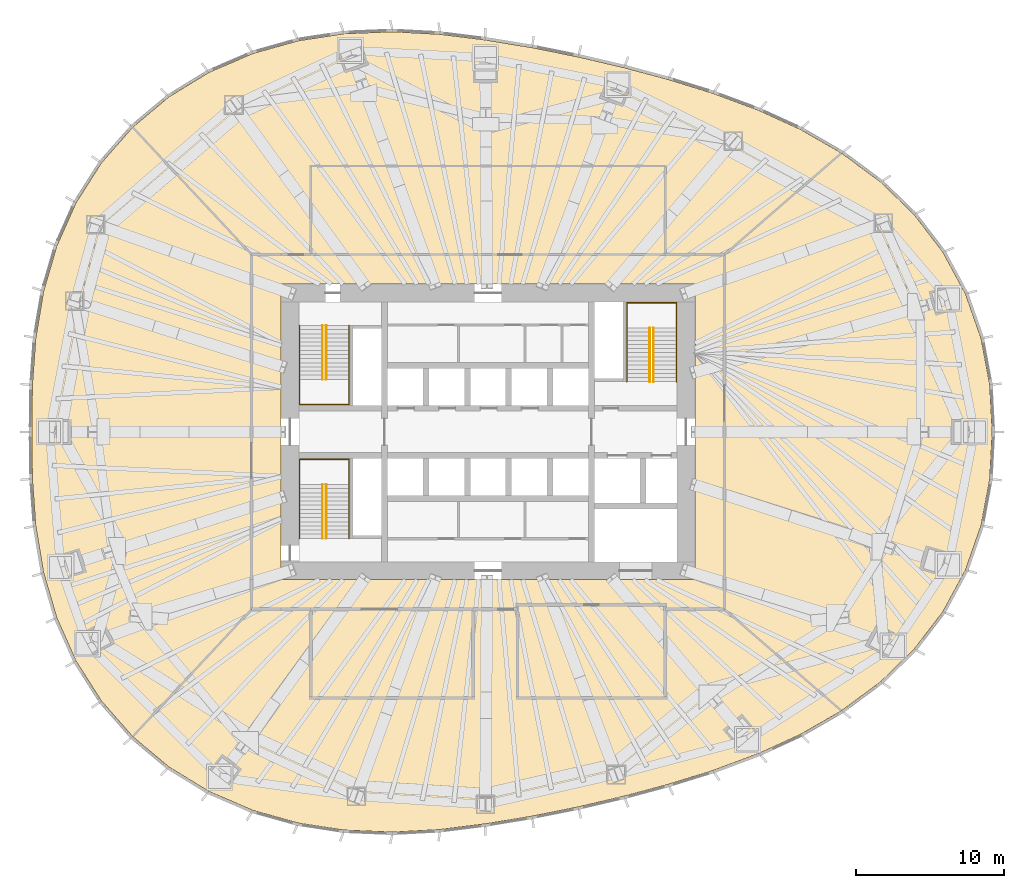
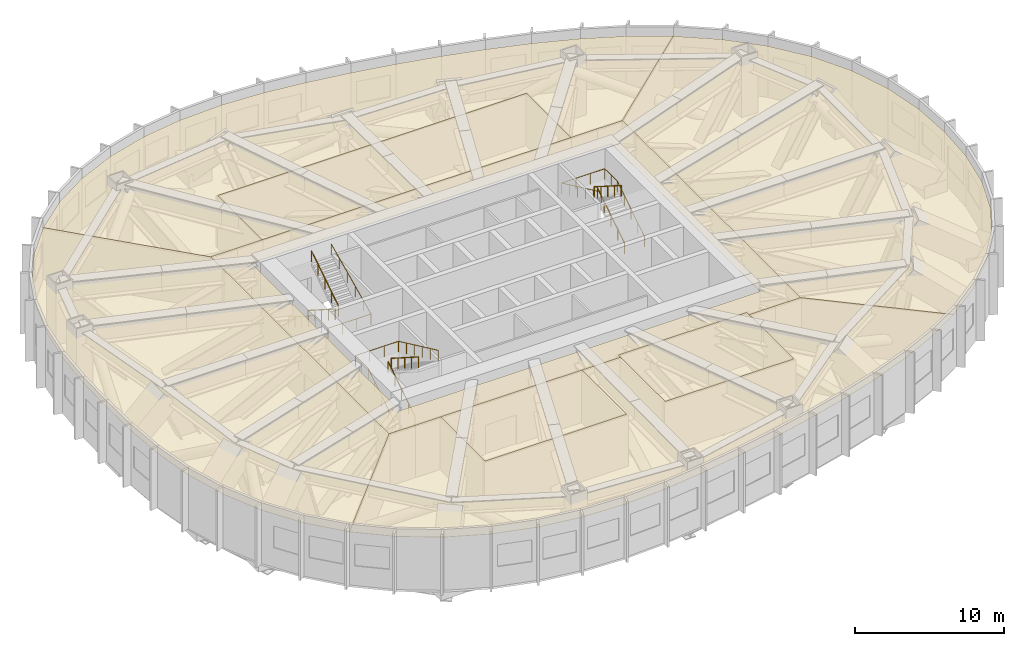
# One storey, part 12 of 12: 9 railings, 8 coverings.
"""IFC4 building model written with IfcOpenShell, lengths in metres."""

from ifc_helpers import new_model, si_unit, direction, frame, origin, origin_2d, place, context, subcontext, project, spatial, polyline, circle, outline, extrude, material, layer, layer_set, type_object, element, save


model = new_model("IFC4")

# Units and contexts
model_context = context("Model", 3, precision=1e-05, world=origin(), true_north=direction((0.0, 1.0)))
body_context = subcontext(model_context, "Body", "Model", "MODEL_VIEW")
ifc_project = project(units=[si_unit("LENGTHUNIT", "METRE"), si_unit("AREAUNIT", "SQUARE_METRE"), si_unit("VOLUMEUNIT", "CUBIC_METRE"), si_unit("PLANEANGLEUNIT", "RADIAN"), si_unit("MASSUNIT", "GRAM", prefix="KILO")], contexts=[model_context])

# Site, building, storey
site_placement = place(None, origin())
site = spatial("IfcSite", under=ifc_project, at=site_placement, CompositionType="ELEMENT")
building_placement = place(site_placement, origin())
building = spatial("IfcBuilding", under=site, at=building_placement, Name="Ghaith Harvest Tower", CompositionType="ELEMENT")
storey_placement = place(building_placement, frame((0.0, 0.0, 100.0)))
storey = spatial("IfcBuildingStorey", under=building, at=storey_placement, Name="L20", CompositionType="ELEMENT", Elevation=100.0)

# Coverings
ifc_material_1 = material(Name="Mineral fibre ceiling tile", Category="gypsum")
ifc_layer = layer(ifc_material_1, 0.02490234375)
ifc_layer_set = layer_set([ifc_layer], Name="CEILING C2")
covering_type = type_object("IfcCoveringType", Name="CEILING C2", PredefinedType="CEILING", material=ifc_layer_set)
covering_1_placement = place(storey_placement, frame((0.0, 0.0, 4.199951171875)))
element("IfcCovering", 1, at=covering_1_placement, inside=storey, type_object=covering_type, Name="Ceiling L20-01", PredefinedType="CEILING", context=body_context, shape_type="SweptSolid", body=[
    extrude(outline(polyline([(-12.0, 12.0), (12.0, 12.0), (12.0, 18.0), (-12.0, 18.0), (-12.0, 12.0)])), origin(), (0.0, 0.0, 1.0), 0.025146484375),
])
covering_2_placement = place(storey_placement, frame((0.0, 0.0, 4.199951171875)))
element("IfcCovering", 2, at=covering_2_placement, inside=storey, type_object=covering_type, Name="Ceiling L20-02", PredefinedType="CEILING", context=body_context, shape_type="SweptSolid", body=[
    extrude(outline(polyline([(-12.0, -18.0), (-1.0, -18.0), (-1.0, -12.0), (-12.0, -12.0), (-12.0, -18.0)])), origin(), (0.0, 0.0, 1.0), 0.025146484375),
])
covering_3_placement = place(storey_placement, frame((0.0, 0.0, 4.199951171875)))
element("IfcCovering", 3, at=covering_3_placement, inside=storey, type_object=covering_type, Name="Ceiling L20-03", PredefinedType="CEILING", context=body_context, shape_type="SweptSolid", body=[
    extrude(outline(polyline([(2.0, -18.0), (12.0, -18.0), (12.0, -11.699951171875), (2.0, -11.699951171875), (2.0, -18.0)])), origin(), (0.0, 0.0, 1.0), 0.025146484375),
])
covering_4_placement = place(storey_placement, frame((0.0, 0.0, 4.199951171875)))
element("IfcCovering", 4, at=covering_4_placement, inside=storey, type_object=covering_type, Name="Ceiling L20-C1", PredefinedType="CEILING", context=body_context, shape_type="SweptSolid", body=[
    extrude(outline(polyline([(-16.0, 12.0), (16.0, 12.0), (16.0, -12.0), (12.0, -12.0), (12.0, -11.699951171875), (2.0, -11.699951171875), (2.0, -12.0), (-16.0, -12.0), (-16.0, 12.0)]), holes=[polyline([(14.0, -10.0), (14.0, 10.0), (-14.0, 10.0), (-14.0, -10.0), (14.0, -10.0)])]), origin(), (0.0, 0.0, 1.0), 0.025146484375),
])
covering_5_placement = place(storey_placement, frame((0.0, 0.0, 4.199951171875)))
element("IfcCovering", 5, at=covering_5_placement, inside=storey, type_object=covering_type, Name="Ceiling L20-N1", PredefinedType="CEILING", context=body_context, shape_type="SweptSolid", body=[
    extrude(outline(polyline([(-21.59912109375, 22.671142578125), (-18.8935546875, 24.32763671875), (-15.907958984375, 25.614501953125), (-12.828125, 26.476806640625), (-9.733642578125, 26.949951171875), (-6.4375, 27.0849609375), (-3.24755859375, 26.91064453125), (-0.181396484375, 26.527099609375), (2.99560546875, 26.004150390625), (6.10888671875, 25.378662109375), (9.21533203125, 24.65087890625), (12.1796875, 23.857666015625), (15.22119140625, 22.916259765625), (18.34521484375, 21.7548828125), (21.149169921875, 20.469482421875), (23.92431640625, 18.873046875), (16.0, 12.0), (12.0, 12.0), (12.0, 18.0), (-12.0, 18.0), (-12.0, 12.0), (-16.0, 12.0), (-24.04833984375, 20.618408203125), (-21.59912109375, 22.671142578125)])), origin(), (0.0, 0.0, 1.0), 0.025146484375),
])
covering_6_placement = place(storey_placement, frame((0.0, 0.0, 4.199951171875)))
element("IfcCovering", 6, at=covering_6_placement, inside=storey, type_object=covering_type, Name="Ceiling L20-E1", PredefinedType="CEILING", context=body_context, shape_type="SweptSolid", body=[
    extrude(outline(polyline([(26.572509765625, -16.9111328125), (23.92431640625, -18.873046875), (16.0, -12.0), (16.0, 12.0), (23.92431640625, 18.873046875), (26.572509765625, 16.9111328125), (28.840087890625, 14.708984375), (30.78515625, 12.1708984375), (32.318359375, 9.3408203125), (33.37158203125, 6.333984375), (33.95849609375, 3.194091796875), (34.125, 0.0), (33.95849609375, -3.194091796875), (33.37158203125, -6.333984375), (32.318359375, -9.3408203125), (30.78515625, -12.1708984375), (28.840087890625, -14.708984375), (26.572509765625, -16.9111328125)])), origin(), (0.0, 0.0, 1.0), 0.025146484375),
])
covering_7_placement = place(storey_placement, frame((0.0, 0.0, 4.199951171875)))
element("IfcCovering", 7, at=covering_7_placement, inside=storey, type_object=covering_type, Name="Ceiling L20-S1", PredefinedType="CEILING", context=body_context, shape_type="SweptSolid", body=[
    extrude(outline(polyline([(21.149169921875, -20.469482421875), (18.34521484375, -21.7548828125), (15.22119140625, -22.916259765625), (12.1796875, -23.857666015625), (9.21533203125, -24.65087890625), (6.10888671875, -25.378662109375), (2.99560546875, -26.004150390625), (-0.181396484375, -26.527099609375), (-3.24755859375, -26.91064453125), (-6.4375, -27.0849609375), (-9.733642578125, -26.949951171875), (-12.828125, -26.476806640625), (-15.907958984375, -25.614501953125), (-18.8935546875, -24.32763671875), (-21.59912109375, -22.671142578125), (-24.04833984375, -20.618408203125), (-16.0, -12.0), (-12.0, -12.0), (-12.0, -18.0), (-1.0, -18.0), (-1.0, -12.0), (2.0, -12.0), (2.0, -18.0), (12.0, -18.0), (12.0, -12.0), (16.0, -12.0), (23.92431640625, -18.873046875), (21.149169921875, -20.469482421875)])), origin(), (0.0, 0.0, 1.0), 0.025146484375),
])
covering_8_placement = place(storey_placement, frame((0.0, 0.0, 4.199951171875)))
element("IfcCovering", 8, at=covering_8_placement, inside=storey, type_object=covering_type, Name="Ceiling L20-W1", PredefinedType="CEILING", context=body_context, shape_type="SweptSolid", body=[
    extrude(outline(polyline([(-26.16455078125, -18.20556640625), (-27.881591796875, -15.507080078125), (-29.182373046875, -12.587890625), (-30.073974609375, -9.531005859375), (-30.606689453125, -6.35107421875), (-30.837158203125, -3.165771484375), (-30.875, 0.0), (-30.837158203125, 3.165771484375), (-30.606689453125, 6.35107421875), (-30.073974609375, 9.531005859375), (-29.182373046875, 12.587890625), (-27.881591796875, 15.507080078125), (-26.16455078125, 18.20556640625), (-24.04833984375, 20.618408203125), (-16.0, 12.0), (-16.0, -12.0), (-24.04833984375, -20.618408203125), (-26.16455078125, -18.20556640625)])), origin(), (0.0, 0.0, 1.0), 0.025146484375),
])

# Railings
ifc_material_2 = material(Name="Steel, black powder-coated", Category="steel")
railing_type = type_object("IfcRailingType", Name="HANDRAIL HR1", PredefinedType="HANDRAIL", material=ifc_material_2)
railing_1_placement = place(storey_placement, frame((-11.199951171875, 7.199951171875, 0.178466796875)))
element("IfcRailing", 9, at=railing_1_placement, inside=storey, type_object=railing_type, Name="Handrail HR1 stair ST1 L20 flight 1 inner", PredefinedType="HANDRAIL", context=body_context, shape_type="SweptSolid", body=[
    extrude(circle(Radius=0.02392578125, at=origin_2d()), frame((0.0, 0.0, 0.8759765625), z_axis=(0.0, -0.843111507901, 0.53773877045), x_axis=(1.0, 0.0, 0.0)), (0.0, 0.0, 1.0), 4.317138671875),
    extrude(circle(Radius=0.02099609375, at=origin_2d()), origin(), (0.0, 0.0, 1.0), 0.851806640625),
    extrude(circle(Radius=0.02099609375, at=origin_2d()), frame((0.0, -0.909912109375, 0.580322265625)), (0.0, 0.0, 1.0), 0.851806640625),
    extrude(circle(Radius=0.02099609375, at=origin_2d()), frame((0.0, -1.81982421875, 1.16064453125)), (0.0, 0.0, 1.0), 0.851806640625),
    extrude(circle(Radius=0.02099609375, at=origin_2d()), frame((0.0, -2.72998046875, 1.7412109375)), (0.0, 0.0, 1.0), 0.851806640625),
    extrude(circle(Radius=0.02099609375, at=origin_2d()), frame((0.0, -3.639892578125, 2.321533203125)), (0.0, 0.0, 1.0), 0.851806640625),
])
railing_2_placement = place(storey_placement, frame((-10.949951171875, 3.56005859375, 2.678466796875)))
element("IfcRailing", 10, at=railing_2_placement, inside=storey, type_object=railing_type, Name="Handrail HR1 stair ST1 L20 flight 2 inner", PredefinedType="HANDRAIL", context=body_context, shape_type="SweptSolid", body=[
    extrude(circle(Radius=0.02392578125, at=origin_2d()), frame((0.0, 0.0, 0.8759765625), z_axis=(0.0, 0.843111507901, 0.53773877045), x_axis=(-1.0, 0.0, 0.0)), (0.0, 0.0, 1.0), 4.317138671875),
    extrude(circle(Radius=0.02099609375, at=origin_2d()), origin(), (0.0, 0.0, 1.0), 0.851806640625),
    extrude(circle(Radius=0.02099609375, at=origin_2d()), frame((0.0, 0.909912109375, 0.580322265625)), (0.0, 0.0, 1.0), 0.851806640625),
    extrude(circle(Radius=0.02099609375, at=origin_2d()), frame((0.0, 1.81982421875, 1.16064453125)), (0.0, 0.0, 1.0), 0.851806640625),
    extrude(circle(Radius=0.02099609375, at=origin_2d()), frame((0.0, 2.72998046875, 1.7412109375)), (0.0, 0.0, 1.0), 0.851806640625),
    extrude(circle(Radius=0.02099609375, at=origin_2d()), frame((0.0, 3.639892578125, 2.321533203125)), (0.0, 0.0, 1.0), 0.851806640625),
])
railing_3_placement = place(storey_placement, frame((-12.75, 7.199951171875, 0.178466796875)))
element("IfcRailing", 11, at=railing_3_placement, inside=storey, type_object=railing_type, Name="Handrail HR1 stair ST1 L20 wall side", PredefinedType="HANDRAIL", context=body_context, shape_type="SweptSolid", body=[
    extrude(circle(Radius=0.02392578125, at=origin_2d()), frame((0.0, 0.0, 0.8759765625), z_axis=(0.0, -0.843111507901, 0.53773877045), x_axis=(1.0, 0.0, 0.0)), (0.0, 0.0, 1.0), 4.317138671875),
    extrude(circle(Radius=0.02392578125, at=origin_2d()), frame((0.0, -3.639892578125, 3.197265625), z_axis=(0.0, -1.0, 0.0), x_axis=(1.0, 0.0, 0.0)), (0.0, 0.0, 1.0), 1.7099609375),
    extrude(circle(Radius=0.02392578125, at=origin_2d()), frame((0.0, -5.349853515625, 3.197265625), z_axis=(1.0, 0.0, 0.0), x_axis=(0.0, 1.0, 0.0)), (0.0, 0.0, 1.0), 3.35009765625),
    extrude(circle(Radius=0.02392578125, at=origin_2d()), frame((3.35009765625, -5.349853515625, 3.197265625), z_axis=(0.0, 0.905962265858, 0.423358444868), x_axis=(-1.0, 0.0, 0.0)), (0.0, 0.0, 1.0), 5.9052734375),
    extrude(circle(Radius=0.02099609375, at=origin_2d()), origin(), (0.0, 0.0, 1.0), 0.851806640625),
    extrude(circle(Radius=0.02099609375, at=origin_2d()), frame((0.0, -0.909912109375, 0.580322265625)), (0.0, 0.0, 1.0), 0.851806640625),
    extrude(circle(Radius=0.02099609375, at=origin_2d()), frame((0.0, -1.81982421875, 1.16064453125)), (0.0, 0.0, 1.0), 0.851806640625),
    extrude(circle(Radius=0.02099609375, at=origin_2d()), frame((0.0, -2.72998046875, 1.7412109375)), (0.0, 0.0, 1.0), 0.851806640625),
    extrude(circle(Radius=0.02099609375, at=origin_2d()), frame((0.0, -3.639892578125, 2.321533203125)), (0.0, 0.0, 1.0), 0.851806640625),
    extrude(circle(Radius=0.02099609375, at=origin_2d()), frame((0.0, -4.494873046875, 2.321533203125)), (0.0, 0.0, 1.0), 0.851806640625),
    extrude(circle(Radius=0.02099609375, at=origin_2d()), frame((0.0, -5.349853515625, 2.321533203125)), (0.0, 0.0, 1.0), 0.851806640625),
    extrude(circle(Radius=0.02099609375, at=origin_2d()), frame((1.11669921875, -5.349853515625, 2.321533203125)), (0.0, 0.0, 1.0), 0.851806640625),
    extrude(circle(Radius=0.02099609375, at=origin_2d()), frame((2.2333984375, -5.349853515625, 2.321533203125)), (0.0, 0.0, 1.0), 0.851806640625),
    extrude(circle(Radius=0.02099609375, at=origin_2d()), frame((3.35009765625, -5.349853515625, 2.321533203125)), (0.0, 0.0, 1.0), 0.851806640625),
    extrude(circle(Radius=0.02099609375, at=origin_2d()), frame((3.35009765625, -4.27978515625, 2.821533203125)), (0.0, 0.0, 1.0), 0.851806640625),
    extrude(circle(Radius=0.02099609375, at=origin_2d()), frame((3.35009765625, -3.2099609375, 3.321533203125)), (0.0, 0.0, 1.0), 0.851806640625),
    extrude(circle(Radius=0.02099609375, at=origin_2d()), frame((3.35009765625, -2.139892578125, 3.821533203125)), (0.0, 0.0, 1.0), 0.851806640625),
    extrude(circle(Radius=0.02099609375, at=origin_2d()), frame((3.35009765625, -1.070068359375, 4.321533203125)), (0.0, 0.0, 1.0), 0.851806640625),
    extrude(circle(Radius=0.02099609375, at=origin_2d()), frame((3.35009765625, 0.0, 4.821533203125)), (0.0, 0.0, 1.0), 0.851806640625),
])
railing_4_placement = place(storey_placement, frame((-11.199951171875, -7.199951171875, 0.178466796875)))
element("IfcRailing", 12, at=railing_4_placement, inside=storey, type_object=railing_type, Name="Handrail HR1 stair ST3 L20 flight 1 inner", PredefinedType="HANDRAIL", context=body_context, shape_type="SweptSolid", body=[
    extrude(circle(Radius=0.02392578125, at=origin_2d()), frame((0.0, 0.0, 0.8759765625), z_axis=(0.0, 0.843111507901, 0.53773877045), x_axis=(-1.0, 0.0, 0.0)), (0.0, 0.0, 1.0), 4.317138671875),
    extrude(circle(Radius=0.02099609375, at=origin_2d()), origin(), (0.0, 0.0, 1.0), 0.851806640625),
    extrude(circle(Radius=0.02099609375, at=origin_2d()), frame((0.0, 0.909912109375, 0.580322265625)), (0.0, 0.0, 1.0), 0.851806640625),
    extrude(circle(Radius=0.02099609375, at=origin_2d()), frame((0.0, 1.81982421875, 1.16064453125)), (0.0, 0.0, 1.0), 0.851806640625),
    extrude(circle(Radius=0.02099609375, at=origin_2d()), frame((0.0, 2.72998046875, 1.7412109375)), (0.0, 0.0, 1.0), 0.851806640625),
    extrude(circle(Radius=0.02099609375, at=origin_2d()), frame((0.0, 3.639892578125, 2.321533203125)), (0.0, 0.0, 1.0), 0.851806640625),
])
railing_5_placement = place(storey_placement, frame((-10.949951171875, -3.56005859375, 2.678466796875)))
element("IfcRailing", 13, at=railing_5_placement, inside=storey, type_object=railing_type, Name="Handrail HR1 stair ST3 L20 flight 2 inner", PredefinedType="HANDRAIL", context=body_context, shape_type="SweptSolid", body=[
    extrude(circle(Radius=0.02392578125, at=origin_2d()), frame((0.0, 0.0, 0.8759765625), z_axis=(0.0, -0.843111507901, 0.53773877045), x_axis=(1.0, 0.0, 0.0)), (0.0, 0.0, 1.0), 4.317138671875),
    extrude(circle(Radius=0.02099609375, at=origin_2d()), origin(), (0.0, 0.0, 1.0), 0.851806640625),
    extrude(circle(Radius=0.02099609375, at=origin_2d()), frame((0.0, -0.909912109375, 0.580322265625)), (0.0, 0.0, 1.0), 0.851806640625),
    extrude(circle(Radius=0.02099609375, at=origin_2d()), frame((0.0, -1.81982421875, 1.16064453125)), (0.0, 0.0, 1.0), 0.851806640625),
    extrude(circle(Radius=0.02099609375, at=origin_2d()), frame((0.0, -2.72998046875, 1.7412109375)), (0.0, 0.0, 1.0), 0.851806640625),
    extrude(circle(Radius=0.02099609375, at=origin_2d()), frame((0.0, -3.639892578125, 2.321533203125)), (0.0, 0.0, 1.0), 0.851806640625),
])
railing_6_placement = place(storey_placement, frame((-12.75, -7.199951171875, 0.178466796875)))
element("IfcRailing", 14, at=railing_6_placement, inside=storey, type_object=railing_type, Name="Handrail HR1 stair ST3 L20 wall side", PredefinedType="HANDRAIL", context=body_context, shape_type="SweptSolid", body=[
    extrude(circle(Radius=0.02392578125, at=origin_2d()), frame((0.0, 0.0, 0.8759765625), z_axis=(0.0, 0.843111507901, 0.53773877045), x_axis=(-1.0, 0.0, 0.0)), (0.0, 0.0, 1.0), 4.317138671875),
    extrude(circle(Radius=0.02392578125, at=origin_2d()), frame((0.0, 3.639892578125, 3.197265625), z_axis=(0.0, 1.0, 0.0), x_axis=(-1.0, 0.0, 0.0)), (0.0, 0.0, 1.0), 1.7099609375),
    extrude(circle(Radius=0.02392578125, at=origin_2d()), frame((0.0, 5.349853515625, 3.197265625), z_axis=(1.0, 0.0, 0.0), x_axis=(0.0, 1.0, 0.0)), (0.0, 0.0, 1.0), 3.35009765625),
    extrude(circle(Radius=0.02392578125, at=origin_2d()), frame((3.35009765625, 5.349853515625, 3.197265625), z_axis=(0.0, -0.905962265858, 0.423358444868), x_axis=(1.0, 0.0, 0.0)), (0.0, 0.0, 1.0), 5.9052734375),
    extrude(circle(Radius=0.02099609375, at=origin_2d()), origin(), (0.0, 0.0, 1.0), 0.851806640625),
    extrude(circle(Radius=0.02099609375, at=origin_2d()), frame((0.0, 0.909912109375, 0.580322265625)), (0.0, 0.0, 1.0), 0.851806640625),
    extrude(circle(Radius=0.02099609375, at=origin_2d()), frame((0.0, 1.81982421875, 1.16064453125)), (0.0, 0.0, 1.0), 0.851806640625),
    extrude(circle(Radius=0.02099609375, at=origin_2d()), frame((0.0, 2.72998046875, 1.7412109375)), (0.0, 0.0, 1.0), 0.851806640625),
    extrude(circle(Radius=0.02099609375, at=origin_2d()), frame((0.0, 3.639892578125, 2.321533203125)), (0.0, 0.0, 1.0), 0.851806640625),
    extrude(circle(Radius=0.02099609375, at=origin_2d()), frame((0.0, 4.494873046875, 2.321533203125)), (0.0, 0.0, 1.0), 0.851806640625),
    extrude(circle(Radius=0.02099609375, at=origin_2d()), frame((0.0, 5.349853515625, 2.321533203125)), (0.0, 0.0, 1.0), 0.851806640625),
    extrude(circle(Radius=0.02099609375, at=origin_2d()), frame((1.11669921875, 5.349853515625, 2.321533203125)), (0.0, 0.0, 1.0), 0.851806640625),
    extrude(circle(Radius=0.02099609375, at=origin_2d()), frame((2.2333984375, 5.349853515625, 2.321533203125)), (0.0, 0.0, 1.0), 0.851806640625),
    extrude(circle(Radius=0.02099609375, at=origin_2d()), frame((3.35009765625, 5.349853515625, 2.321533203125)), (0.0, 0.0, 1.0), 0.851806640625),
    extrude(circle(Radius=0.02099609375, at=origin_2d()), frame((3.35009765625, 4.27978515625, 2.821533203125)), (0.0, 0.0, 1.0), 0.851806640625),
    extrude(circle(Radius=0.02099609375, at=origin_2d()), frame((3.35009765625, 3.2099609375, 3.321533203125)), (0.0, 0.0, 1.0), 0.851806640625),
    extrude(circle(Radius=0.02099609375, at=origin_2d()), frame((3.35009765625, 2.139892578125, 3.821533203125)), (0.0, 0.0, 1.0), 0.851806640625),
    extrude(circle(Radius=0.02099609375, at=origin_2d()), frame((3.35009765625, 1.070068359375, 4.321533203125)), (0.0, 0.0, 1.0), 0.851806640625),
    extrude(circle(Radius=0.02099609375, at=origin_2d()), frame((3.35009765625, 0.0, 4.821533203125)), (0.0, 0.0, 1.0), 0.851806640625),
])
railing_7_placement = place(storey_placement, frame((11.199951171875, 3.39990234375, 0.178466796875)))
element("IfcRailing", 15, at=railing_7_placement, inside=storey, type_object=railing_type, Name="Handrail HR1 stair ST2 L20 flight 1 inner", PredefinedType="HANDRAIL", context=body_context, shape_type="SweptSolid", body=[
    extrude(circle(Radius=0.02392578125, at=origin_2d()), frame((0.0, 0.0, 0.8759765625), z_axis=(0.0, 0.843127859045, 0.537713132908), x_axis=(-1.0, 0.0, 0.0)), (0.0, 0.0, 1.0), 4.3173828125),
    extrude(circle(Radius=0.02099609375, at=origin_2d()), origin(), (0.0, 0.0, 1.0), 0.851806640625),
    extrude(circle(Radius=0.02099609375, at=origin_2d()), frame((0.0, 0.91015625, 0.580322265625)), (0.0, 0.0, 1.0), 0.851806640625),
    extrude(circle(Radius=0.02099609375, at=origin_2d()), frame((0.0, 1.820068359375, 1.16064453125)), (0.0, 0.0, 1.0), 0.851806640625),
    extrude(circle(Radius=0.02099609375, at=origin_2d()), frame((0.0, 2.72998046875, 1.7412109375)), (0.0, 0.0, 1.0), 0.851806640625),
    extrude(circle(Radius=0.02099609375, at=origin_2d()), frame((0.0, 3.64013671875, 2.321533203125)), (0.0, 0.0, 1.0), 0.851806640625),
])
railing_8_placement = place(storey_placement, frame((10.949951171875, 7.0400390625, 2.678466796875)))
element("IfcRailing", 16, at=railing_8_placement, inside=storey, type_object=railing_type, Name="Handrail HR1 stair ST2 L20 flight 2 inner", PredefinedType="HANDRAIL", context=body_context, shape_type="SweptSolid", body=[
    extrude(circle(Radius=0.02392578125, at=origin_2d()), frame((0.0, 0.0, 0.8759765625), z_axis=(0.0, -0.843127859045, 0.537713132908), x_axis=(1.0, 0.0, 0.0)), (0.0, 0.0, 1.0), 4.3173828125),
    extrude(circle(Radius=0.02099609375, at=origin_2d()), origin(), (0.0, 0.0, 1.0), 0.851806640625),
    extrude(circle(Radius=0.02099609375, at=origin_2d()), frame((0.0, -0.91015625, 0.580322265625)), (0.0, 0.0, 1.0), 0.851806640625),
    extrude(circle(Radius=0.02099609375, at=origin_2d()), frame((0.0, -1.820068359375, 1.16064453125)), (0.0, 0.0, 1.0), 0.851806640625),
    extrude(circle(Radius=0.02099609375, at=origin_2d()), frame((0.0, -2.72998046875, 1.7412109375)), (0.0, 0.0, 1.0), 0.851806640625),
    extrude(circle(Radius=0.02099609375, at=origin_2d()), frame((0.0, -3.64013671875, 2.321533203125)), (0.0, 0.0, 1.0), 0.851806640625),
])
railing_9_placement = place(storey_placement, frame((12.75, 3.39990234375, 0.178466796875)))
element("IfcRailing", 17, at=railing_9_placement, inside=storey, type_object=railing_type, Name="Handrail HR1 stair ST2 L20 wall side", PredefinedType="HANDRAIL", context=body_context, shape_type="SweptSolid", body=[
    extrude(circle(Radius=0.02392578125, at=origin_2d()), frame((0.0, 0.0, 0.8759765625), z_axis=(0.0, 0.843127859045, 0.537713132908), x_axis=(-1.0, 0.0, 0.0)), (0.0, 0.0, 1.0), 4.3173828125),
    extrude(circle(Radius=0.02392578125, at=origin_2d()), frame((0.0, 3.64013671875, 3.197265625), z_axis=(0.0, 1.0, 0.0), x_axis=(-1.0, 0.0, 0.0)), (0.0, 0.0, 1.0), 1.7099609375),
    extrude(circle(Radius=0.02392578125, at=origin_2d()), frame((0.0, 5.35009765625, 3.197265625), z_axis=(-1.0, 0.0, 0.0), x_axis=(0.0, -1.0, 0.0)), (0.0, 0.0, 1.0), 3.35009765625),
    extrude(circle(Radius=0.02392578125, at=origin_2d()), frame((-3.35009765625, 5.35009765625, 3.197265625), z_axis=(0.0, -0.905969675553, 0.423342588193), x_axis=(1.0, 0.0, 0.0)), (0.0, 0.0, 1.0), 5.9052734375),
    extrude(circle(Radius=0.02099609375, at=origin_2d()), origin(), (0.0, 0.0, 1.0), 0.851806640625),
    extrude(circle(Radius=0.02099609375, at=origin_2d()), frame((0.0, 0.91015625, 0.580322265625)), (0.0, 0.0, 1.0), 0.851806640625),
    extrude(circle(Radius=0.02099609375, at=origin_2d()), frame((0.0, 1.820068359375, 1.16064453125)), (0.0, 0.0, 1.0), 0.851806640625),
    extrude(circle(Radius=0.02099609375, at=origin_2d()), frame((0.0, 2.72998046875, 1.7412109375)), (0.0, 0.0, 1.0), 0.851806640625),
    extrude(circle(Radius=0.02099609375, at=origin_2d()), frame((0.0, 3.64013671875, 2.321533203125)), (0.0, 0.0, 1.0), 0.851806640625),
    extrude(circle(Radius=0.02099609375, at=origin_2d()), frame((0.0, 4.4951171875, 2.321533203125)), (0.0, 0.0, 1.0), 0.851806640625),
    extrude(circle(Radius=0.02099609375, at=origin_2d()), frame((0.0, 5.35009765625, 2.321533203125)), (0.0, 0.0, 1.0), 0.851806640625),
    extrude(circle(Radius=0.02099609375, at=origin_2d()), frame((-1.11669921875, 5.35009765625, 2.321533203125)), (0.0, 0.0, 1.0), 0.851806640625),
    extrude(circle(Radius=0.02099609375, at=origin_2d()), frame((-2.2333984375, 5.35009765625, 2.321533203125)), (0.0, 0.0, 1.0), 0.851806640625),
    extrude(circle(Radius=0.02099609375, at=origin_2d()), frame((-3.35009765625, 5.35009765625, 2.321533203125)), (0.0, 0.0, 1.0), 0.851806640625),
    extrude(circle(Radius=0.02099609375, at=origin_2d()), frame((-3.35009765625, 4.280029296875, 2.821533203125)), (0.0, 0.0, 1.0), 0.851806640625),
    extrude(circle(Radius=0.02099609375, at=origin_2d()), frame((-3.35009765625, 3.2099609375, 3.321533203125)), (0.0, 0.0, 1.0), 0.851806640625),
    extrude(circle(Radius=0.02099609375, at=origin_2d()), frame((-3.35009765625, 2.14013671875, 3.821533203125)), (0.0, 0.0, 1.0), 0.851806640625),
    extrude(circle(Radius=0.02099609375, at=origin_2d()), frame((-3.35009765625, 1.070068359375, 4.321533203125)), (0.0, 0.0, 1.0), 0.851806640625),
    extrude(circle(Radius=0.02099609375, at=origin_2d()), frame((-3.35009765625, 0.0, 4.821533203125)), (0.0, 0.0, 1.0), 0.851806640625),
])

save(model, "model.ifc")
